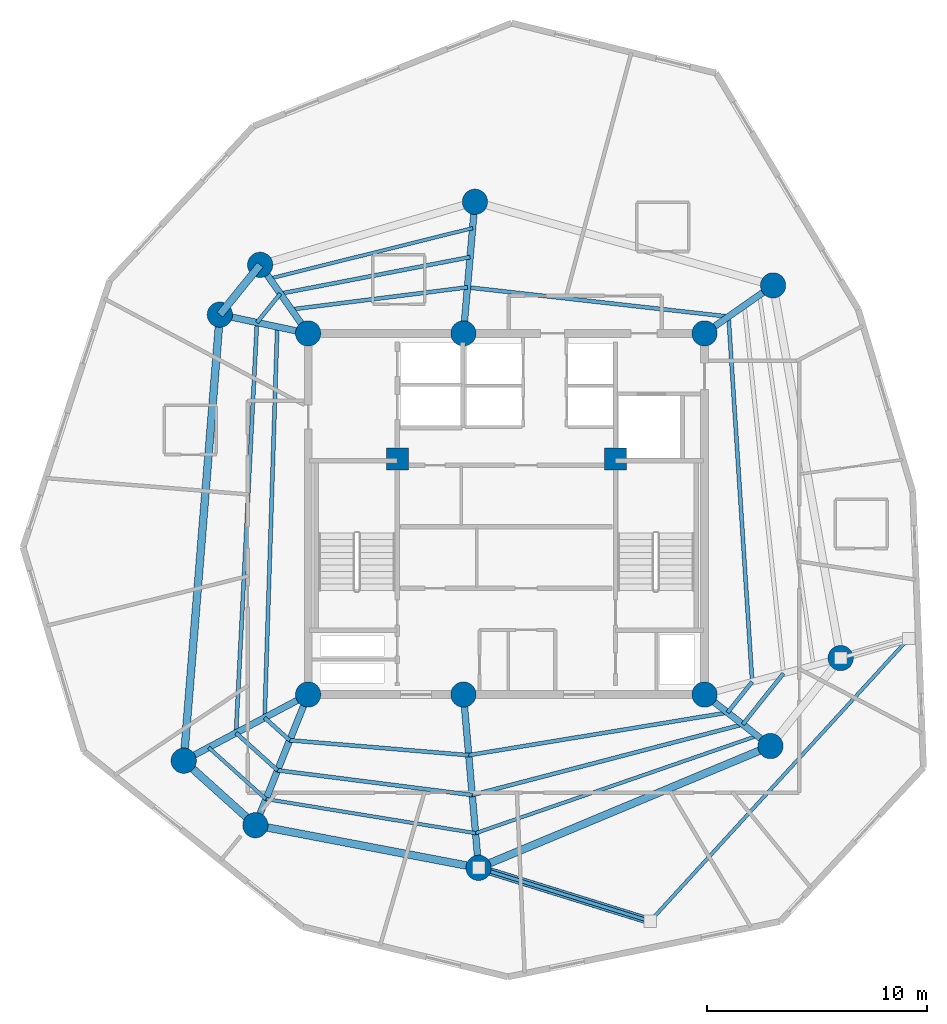
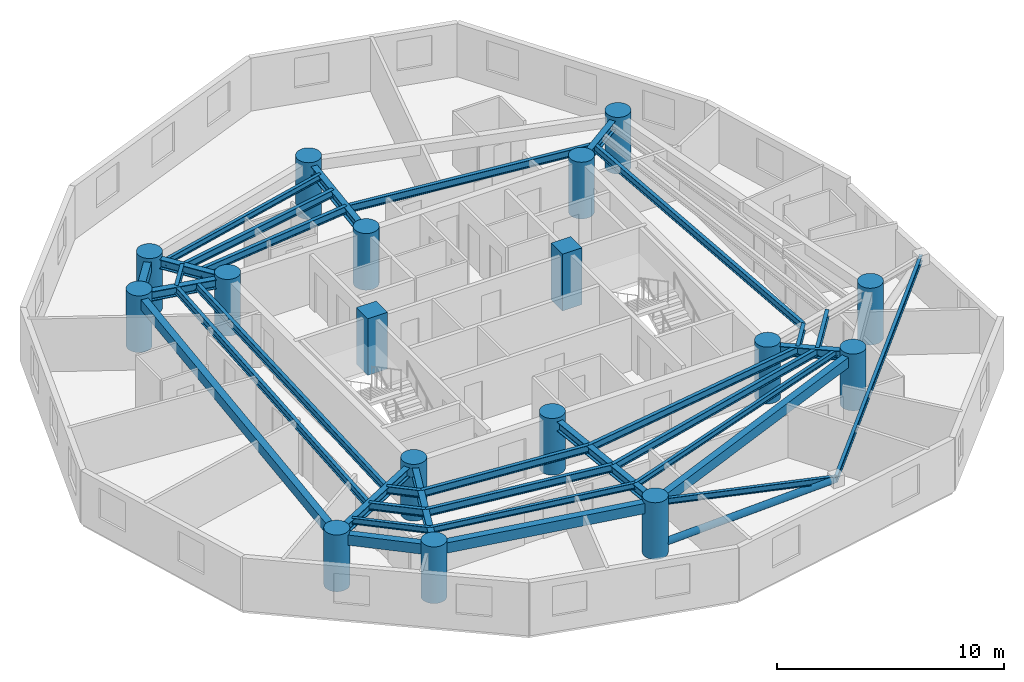
# One storey, part 1 of 7: 34 beams, 17 columns, 1 member.
"""IFC4 building model written with IfcOpenShell, lengths in metres."""

import ifcopenshell
import ifcopenshell.guid

model = None  # the IFC model being written
_history = None  # IfcOwnerHistory: only IFC2X3 demands one
_inside = {}  # id of a spatial element -> (the spatial element, [elements in it])
_under = {}  # id of a project, library or spatial element -> (it, [spatial elements below it])
_declared = {}  # id of a project -> (the project, [libraries it declares])
_typed = {}  # id of a type object -> (the type object, [elements of that type])
_made_of = {}  # id of a material, layer set ... -> (it, [elements and type objects made of it])


def new_model(schema):
    """Start an empty IFC model of exactly this schema.

    Asked for "IFC4X3", IfcOpenShell would pick the latest addendum, in which some entities
    have other attributes; the version numbers below select the first issue.
    IFC2X3 requires an IfcOwnerHistory on every rooted entity: one is made here for all.
    """
    global model, _history
    if schema == "IFC4X3":
        model = ifcopenshell.file(schema_version=(4, 3, 0, 0))
    else:
        model = ifcopenshell.file(schema=schema)
    _inside.clear()
    _under.clear()
    _declared.clear()
    _typed.clear()
    _made_of.clear()
    _history = None
    if model.schema == "IFC2X3":
        org = make("IfcOrganization", Name="unknown")
        user = make(
            "IfcPersonAndOrganization",
            ThePerson=make("IfcPerson", FamilyName="unknown"),
            TheOrganization=org,
        )
        app = make(
            "IfcApplication",
            ApplicationDeveloper=org,
            Version="unknown",
            ApplicationFullName="unknown",
            ApplicationIdentifier="unknown",
        )
        _history = make(
            "IfcOwnerHistory",
            OwningUser=user,
            OwningApplication=app,
            ChangeAction="ADDED",
            CreationDate=0,
        )
    return model


def make(cls, **values):
    """One entity of the class cls with the attributes given. An attribute that is None is left unset."""
    return model.create_entity(
        cls, **{name: value for name, value in values.items() if value is not None}
    )


def rooted(cls, **values):
    """An entity with a GlobalId (a new one), such as an element, a storey or a relation."""
    return make(cls, GlobalId=ifcopenshell.guid.new(), OwnerHistory=_history, **values)


def si_unit(unit_type, name, prefix=None):
    """IfcSIUnit, for example si_unit("LENGTHUNIT", "METRE", prefix="MILLI")."""
    return make("IfcSIUnit", UnitType=unit_type, Prefix=prefix, Name=name)


def assignment(units):
    """IfcUnitAssignment: the units of a project."""
    return None if units is None else make("IfcUnitAssignment", Units=units)


def point(xyz):
    """IfcCartesianPoint."""
    return None if xyz is None else make("IfcCartesianPoint", Coordinates=xyz)


def direction(xyz):
    """IfcDirection."""
    return None if xyz is None else make("IfcDirection", DirectionRatios=xyz)


def frame(location, z_axis=None, x_axis=None):
    """IfcAxis2Placement3D, a coordinate frame: its origin and axes. An axis left out is left unset."""
    return make(
        "IfcAxis2Placement3D",
        Location=point(location),
        Axis=direction(z_axis),
        RefDirection=direction(x_axis),
    )


def frame_2d(location, x_axis=None):
    """IfcAxis2Placement2D, a coordinate frame in the plane: its origin and x axis."""
    return make(
        "IfcAxis2Placement2D", Location=point(location), RefDirection=direction(x_axis)
    )


def origin():
    """The frame at (0, 0, 0) with its axes left unset."""
    return frame((0.0, 0.0, 0.0))


def origin_with_axes():
    """The frame at (0, 0, 0) with the z axis (0, 0, 1) and the x axis (1, 0, 0) written out."""
    return frame((0.0, 0.0, 0.0), z_axis=(0.0, 0.0, 1.0), x_axis=(1.0, 0.0, 0.0))


def origin_2d():
    """The frame at (0, 0) in the plane with its x axis left unset."""
    return frame_2d((0.0, 0.0))


def place(relative_to, where):
    """IfcLocalPlacement: puts the frame where relative to a parent placement (None: the world)."""
    return make(
        "IfcLocalPlacement", PlacementRelTo=relative_to, RelativePlacement=where
    )


def context(
    kind, dimensions, precision=None, world=None, true_north=None, identifier=None
):
    """IfcGeometricRepresentationContext, for example the 3D "Model" context."""
    return make(
        "IfcGeometricRepresentationContext",
        ContextIdentifier=identifier,
        ContextType=kind,
        CoordinateSpaceDimension=dimensions,
        Precision=precision,
        WorldCoordinateSystem=world,
        TrueNorth=true_north,
    )


def subcontext(parent, identifier, kind, view, scale=None):
    """IfcGeometricRepresentationSubContext, for example "Body" below "Model"."""
    return make(
        "IfcGeometricRepresentationSubContext",
        ContextIdentifier=identifier,
        ContextType=kind,
        ParentContext=parent,
        TargetScale=scale,
        TargetView=view,
    )


def project(units=None, contexts=None):
    """IfcProject with its units and contexts."""
    return rooted(
        "IfcProject",
        Name="project",
        RepresentationContexts=contexts,
        UnitsInContext=assignment(units),
    )


def spatial(cls, under=None, at=None, **own):
    """A site, building, storey or space (cls), placed at a placement, below another one or the project."""
    s = rooted(cls, ObjectPlacement=at, **own)
    if under is not None:
        _under.setdefault(under.id(), (under, []))[1].append(s)
    return s


def profile(cls, at=None, kind="AREA", **sizes):
    """A parametric profile (cls). Its sizes go by their IFC names, for example OverallWidth=200.0."""
    return make(cls, ProfileType=kind, Position=at, **sizes)


def rectangle(**sizes):
    """IfcRectangleProfileDef."""
    return profile("IfcRectangleProfileDef", **sizes)


def circle(**sizes):
    """IfcCircleProfileDef."""
    return profile("IfcCircleProfileDef", **sizes)


def hollow_circle(**sizes):
    """IfcCircleHollowProfileDef."""
    return profile("IfcCircleHollowProfileDef", **sizes)


def i_section(**sizes):
    """IfcIShapeProfileDef."""
    return profile("IfcIShapeProfileDef", **sizes)


def extrude(swept, where, along, depth):
    """IfcExtrudedAreaSolid: the profile swept, set in the frame where, extruded along a direction by depth."""
    return make(
        "IfcExtrudedAreaSolid",
        SweptArea=swept,
        Position=where,
        ExtrudedDirection=direction(along),
        Depth=depth,
    )


def shape(context_of_items, identifier, shape_type, items):
    """IfcShapeRepresentation: the items that make up one representation, for example the "Body"."""
    return make(
        "IfcShapeRepresentation",
        ContextOfItems=context_of_items,
        RepresentationIdentifier=identifier,
        RepresentationType=shape_type,
        Items=items,
    )


def source(mapping_origin, context_of_items, identifier, shape_type, items):
    """IfcRepresentationMap: a shape defined once, which mapped items show again and again."""
    return make(
        "IfcRepresentationMap",
        MappingOrigin=mapping_origin,
        MappedRepresentation=shape(context_of_items, identifier, shape_type, items),
    )


def transform(
    local_origin,
    x_axis=None,
    y_axis=None,
    z_axis=None,
    scale=None,
    scale2=None,
    scale3=None,
    uniform=True,
):
    """IfcCartesianTransformationOperator3D, or its non-uniform kind. x_axis, y_axis, z_axis: its Axis1, 2, 3."""
    if uniform:
        return make(
            "IfcCartesianTransformationOperator3D",
            Axis1=direction(x_axis),
            Axis2=direction(y_axis),
            LocalOrigin=point(local_origin),
            Scale=scale,
            Axis3=direction(z_axis),
        )
    return make(
        "IfcCartesianTransformationOperator3DnonUniform",
        Axis1=direction(x_axis),
        Axis2=direction(y_axis),
        LocalOrigin=point(local_origin),
        Scale=scale,
        Axis3=direction(z_axis),
        Scale2=scale2,
        Scale3=scale3,
    )


def mapped(mapping_source, mapping_target):
    """IfcMappedItem: shows the shape of a source again, moved by a transform."""
    return make(
        "IfcMappedItem", MappingSource=mapping_source, MappingTarget=mapping_target
    )


def material(Name=None, Category=None):
    """IfcMaterial."""
    return make("IfcMaterial", Name=Name, Category=Category)


def material_profile(
    of_material, cross_section, Name=None, Category=None, Priority=None
):
    """IfcMaterialProfile: a cross section and its material."""
    return make(
        "IfcMaterialProfile",
        Name=Name,
        Material=of_material,
        Profile=cross_section,
        Priority=Priority,
        Category=Category,
    )


def profile_set(profiles, Name=None, composite=None):
    """IfcMaterialProfileSet."""
    return make(
        "IfcMaterialProfileSet",
        Name=Name,
        MaterialProfiles=profiles,
        CompositeProfile=composite,
    )


def made_of(thing, what):
    """Note that an element or type object is made of a material, layer set ...; save() writes the relation."""
    if what is not None:
        _made_of.setdefault(what.id(), (what, []))[1].append(thing)
    return thing


def type_object(cls, material=None, **own):
    """A type object (cls), such as IfcWallType, which elements share."""
    return made_of(rooted(cls, **own), material)


def element(
    cls,
    number,
    at=None,
    inside=None,
    cuts=None,
    type_object=None,
    material=None,
    context=None,
    identifier="Body",
    shape_type=None,
    held_by="IfcProductDefinitionShape",
    body=None,
    shapes=None,
    **own,
):
    """One element of the class cls, such as IfcWall. Its Tag is "e" and its number.

    at: its placement. inside: the storey or other place that contains it. cuts: it is an
    opening in that element (IfcRelVoidsElement). A single representation is given by context,
    identifier, shape_type and body (its items); several are given by shapes. held_by: the class
    of the entity that holds the representations. save() writes the other relations.
    """
    e = rooted(cls, Tag="e%d" % number, ObjectPlacement=at, **own)
    if body is not None:
        shapes = [shape(context, identifier, shape_type, body)]
    if shapes is not None:
        e.Representation = make(held_by, Representations=shapes)
    if inside is not None:
        _inside.setdefault(inside.id(), (inside, []))[1].append(e)
    if cuts is not None:
        rooted(
            "IfcRelVoidsElement", RelatingBuildingElement=cuts, RelatedOpeningElement=e
        )
    if type_object is not None:
        _typed.setdefault(type_object.id(), (type_object, []))[1].append(e)
    return made_of(e, material)


def aggregate(whole, parts):
    """IfcRelAggregates: a whole, such as a stair, and the parts it consists of."""
    return rooted("IfcRelAggregates", RelatingObject=whole, RelatedObjects=parts)


def save(model, path):
    """Write the relations noted so far, then the file.

    IfcRelAggregates (storeys below a building ...), IfcRelContainedInSpatialStructure (elements
    in a storey), IfcRelDefinesByType, IfcRelAssociatesMaterial and IfcRelDeclares: one each for
    every whole, place, type object, material and project.
    """
    for whole, parts in _under.values():
        aggregate(whole, parts)
    for where, things in _inside.values():
        rooted(
            "IfcRelContainedInSpatialStructure",
            RelatedElements=things,
            RelatingStructure=where,
        )
    for kind, things in _typed.values():
        rooted("IfcRelDefinesByType", RelatedObjects=things, RelatingType=kind)
    for what, things in _made_of.values():
        rooted("IfcRelAssociatesMaterial", RelatedObjects=things, RelatingMaterial=what)
    for by, libraries in _declared.values():
        rooted("IfcRelDeclares", RelatingContext=by, RelatedDefinitions=libraries)
    model.write(path)


model = new_model("IFC4")

# Units and contexts
model_context = context("Model", 3, precision=1e-05, world=origin(), true_north=direction((0.0, 1.0)))
body_context = subcontext(model_context, "Body", "Model", "MODEL_VIEW")
ifc_project = project(units=[si_unit("LENGTHUNIT", "METRE"), si_unit("AREAUNIT", "SQUARE_METRE"), si_unit("VOLUMEUNIT", "CUBIC_METRE"), si_unit("PLANEANGLEUNIT", "RADIAN"), si_unit("MASSUNIT", "GRAM", prefix="KILO")], contexts=[model_context])

# Site, building, storey
site_placement = place(None, origin())
site = spatial("IfcSite", under=ifc_project, at=site_placement, CompositionType="ELEMENT")
building_placement = place(site_placement, origin())
building = spatial("IfcBuilding", under=site, at=building_placement, Name="Karkom Vertical University and Central Library", CompositionType="ELEMENT")
storey_placement = place(building_placement, frame((0.0, 0.0, 229.10009765625)))
storey = spatial("IfcBuildingStorey", under=building, at=storey_placement, Name="L67", CompositionType="ELEMENT", Elevation=229.10009765625)

# Columns
ifc_material_1 = material(Name="Concrete C50/60", Category="concrete")
ifc_material_profile_1 = material_profile(ifc_material_1, rectangle(XDim=1.0, YDim=1.0, at=origin_2d()), Name="RC-1000x1000")
ifc_profile_set_1 = profile_set([ifc_material_profile_1], Name="Concrete C50/60")
column_type_1 = type_object("IfcColumnType", Name="STR-COL-C-CC2", PredefinedType="COLUMN", material=ifc_profile_set_1)
shared_shape_1 = source(origin_with_axes(), body_context, "Body", "SweptSolid", [
    extrude(rectangle(XDim=1.0, YDim=1.0, at=origin_2d()), origin(), (0.0, 0.0, 1.0), 3.0498046875),
])
for number, where, z_axis, x_axis, name in (
    (1, (23.550048828125, 29.0, 0.0), (0.0, 0.0, 1.0), (1.0, 0.0, 0.0), "Level 67 Core Node Column CC-1"),
    (2, (33.449951171875, 29.0, 0.0), (0.0, 0.0, 1.0), (1.0, 0.0, 0.0), "Level 67 Core Node Column CC-2"),
):
    element("IfcColumn", number, at=place(storey_placement, frame(where, z_axis=z_axis, x_axis=x_axis)), inside=storey, type_object=column_type_1, Name=name, PredefinedType="COLUMN", context=body_context, shape_type="MappedRepresentation", body=[
        mapped(shared_shape_1, transform((0.0, 0.0, 0.0), scale=1.0)),
    ])
ifc_material_2 = material(Name="Concrete C45/55", Category="concrete")
ifc_material_profile_2 = material_profile(ifc_material_2, circle(Radius=0.574951171875, at=origin_2d()), Name="CFT-D1150")
ifc_profile_set_2 = profile_set([ifc_material_profile_2], Name="Concrete C45/55")
column_type_2 = type_object("IfcColumnType", Name="STR-COL-C-SC5", PredefinedType="COLUMN", material=ifc_profile_set_2)
shared_shape_2 = source(origin_with_axes(), body_context, "Body", "SweptSolid", [
    extrude(circle(Radius=0.574951171875, at=origin_2d()), origin(), (0.0, 0.0, 1.0), 3.0498046875),
])
for number, where, z_axis, x_axis, name in (
    (3, (19.5, 18.300048828125, 0.0), (0.0, 0.0, 1.0), (1.0, 0.0, 0.0), "Level 67 Spine Mega-Column SC-1"),
    (4, (26.550048828125, 18.300048828125, 0.0), (0.0, 0.0, 1.0), (1.0, 0.0, 0.0), "Level 67 Spine Mega-Column SC-2"),
    (5, (37.5, 18.300048828125, 0.0), (0.0, 0.0, 1.0), (1.0, 0.0, 0.0), "Level 67 Spine Mega-Column SC-3"),
    (6, (19.5, 34.699951171875, 0.0), (0.0, 0.0, 1.0), (1.0, 0.0, 0.0), "Level 67 Spine Mega-Column SC-4"),
    (7, (26.550048828125, 34.699951171875, 0.0), (0.0, 0.0, 1.0), (1.0, 0.0, 0.0), "Level 67 Spine Mega-Column SC-5"),
    (8, (37.5, 34.699951171875, 0.0), (0.0, 0.0, 1.0), (1.0, 0.0, 0.0), "Level 67 Spine Mega-Column SC-6"),
    (9, (43.681884765625, 19.9560546875, 0.0), (0.0, 0.0, 1.0), (1.0, 0.0, 0.0), "Level 67 Perimeter Mega-Column Z4-PC1"),
    (10, (40.613037109375, 36.8798828125, 0.0), (0.0, 0.0, 1.0), (1.0, 0.0, 0.0), "Level 67 Perimeter Mega-Column Z4-PC2"),
    (11, (27.072998046875, 40.677001953125, 0.0), (0.0, 0.0, 1.0), (1.0, 0.0, 0.0), "Level 67 Perimeter Mega-Column Z4-PC3"),
    (12, (17.320068359375, 37.81298828125, 0.0), (0.0, 0.0, 1.0), (1.0, 0.0, 0.0), "Level 67 Perimeter Mega-Column Z4-PC4"),
    (13, (15.489990234375, 35.552001953125, 0.0), (0.0, 0.0, 1.0), (1.0, 0.0, 0.0), "Level 67 Perimeter Mega-Column Z4-PC5"),
    (14, (13.84912109375, 15.294921875, 0.0), (0.0, 0.0, 1.0), (1.0, 0.0, 0.0), "Level 67 Perimeter Mega-Column Z4-PC6"),
    (15, (17.10302734375, 12.365966796875, 0.0), (0.0, 0.0, 1.0), (1.0, 0.0, 0.0), "Level 67 Perimeter Mega-Column Z4-PC7"),
    (16, (27.239013671875, 10.429931640625, 0.0), (0.0, 0.0, 1.0), (1.0, 0.0, 0.0), "Level 67 Perimeter Mega-Column Z4-PC8"),
    (17, (40.493896484375, 15.9599609375, 0.0), (0.0, 0.0, 1.0), (1.0, 0.0, 0.0), "Level 67 Perimeter Mega-Column Z4-PC9"),
):
    element("IfcColumn", number, at=place(storey_placement, frame(where, z_axis=z_axis, x_axis=x_axis)), inside=storey, type_object=column_type_2, Name=name, PredefinedType="COLUMN", context=body_context, shape_type="MappedRepresentation", body=[
        mapped(shared_shape_2, transform((0.0, 0.0, 0.0), scale=1.0)),
    ])

# Beams
ifc_material_3 = material(Name="Precast concrete C45/55", Category="concrete")
ifc_material_profile_3 = material_profile(ifc_material_3, rectangle(XDim=0.35009765625, YDim=0.550048828125, at=origin_2d()), Name="SPB-350x550")
ifc_profile_set_3 = profile_set([ifc_material_profile_3], Name="Precast concrete C45/55")
beam_type_1 = type_object("IfcBeamType", Name="STR-BM-SP-2", PredefinedType="SPANDREL", material=ifc_profile_set_3)
shared_shape_3 = source(origin_with_axes(), body_context, "Body", "SweptSolid", [
    extrude(rectangle(XDim=0.35009765625, YDim=0.550048828125, at=origin_2d()), origin(), (0.0, 0.0, 1.0), 2.908935546875),
])
beam_1_placement = place(storey_placement, frame((17.320068359375, 37.81298828125, 2.574951171875), z_axis=(-0.629147523747, -0.777285914811, 0.0), x_axis=(0.777285914811, -0.629147523747, 0.0)))
element("IfcBeam", 18, at=beam_1_placement, inside=storey, type_object=beam_type_1, Name="Level 67 Perimeter Spandrel Beam 04", PredefinedType="SPANDREL", context=body_context, shape_type="MappedRepresentation", body=[
    mapped(shared_shape_3, transform((0.0, 0.0, 0.0), scale=1.0)),
])
shared_shape_4 = source(origin_with_axes(), body_context, "Body", "SweptSolid", [
    extrude(rectangle(XDim=0.35009765625, YDim=0.550048828125, at=origin_2d()), origin(), (0.0, 0.0, 1.0), 20.323486328125),
])
beam_2_placement = place(storey_placement, frame((15.489990234375, 35.552001953125, 2.574951171875), z_axis=(-0.080737811681, -0.996735373991, 0.0), x_axis=(0.996735373991, -0.080737811681, 0.0)))
element("IfcBeam", 19, at=beam_2_placement, inside=storey, type_object=beam_type_1, Name="Level 67 Perimeter Spandrel Beam 05", PredefinedType="SPANDREL", context=body_context, shape_type="MappedRepresentation", body=[
    mapped(shared_shape_4, transform((0.0, 0.0, 0.0), scale=1.0)),
])
shared_shape_5 = source(origin_with_axes(), body_context, "Body", "SweptSolid", [
    extrude(rectangle(XDim=0.35009765625, YDim=0.550048828125, at=origin_2d()), origin(), (0.0, 0.0, 1.0), 4.3779296875),
])
beam_3_placement = place(storey_placement, frame((13.84912109375, 15.294921875, 2.574951171875), z_axis=(0.743244232405, -0.669020187287, 0.0), x_axis=(0.669020187287, 0.743244232405, 0.0)))
element("IfcBeam", 20, at=beam_3_placement, inside=storey, type_object=beam_type_1, Name="Level 67 Perimeter Spandrel Beam 06", PredefinedType="SPANDREL", context=body_context, shape_type="MappedRepresentation", body=[
    mapped(shared_shape_5, transform((0.0, 0.0, 0.0), scale=1.0)),
])
shared_shape_6 = source(origin_with_axes(), body_context, "Body", "SweptSolid", [
    extrude(rectangle(XDim=0.35009765625, YDim=0.550048828125, at=origin_2d()), origin(), (0.0, 0.0, 1.0), 10.3193359375),
])
beam_4_placement = place(storey_placement, frame((17.10302734375, 12.365966796875, 2.574951171875), z_axis=(0.982242767385, -0.187614354249, 0.0), x_axis=(0.187614354249, 0.982242767385, 0.0)))
element("IfcBeam", 21, at=beam_4_placement, inside=storey, type_object=beam_type_1, Name="Level 67 Perimeter Spandrel Beam 07", PredefinedType="SPANDREL", context=body_context, shape_type="MappedRepresentation", body=[
    mapped(shared_shape_6, transform((0.0, 0.0, 0.0), scale=1.0)),
])
shared_shape_7 = source(origin_with_axes(), body_context, "Body", "SweptSolid", [
    extrude(rectangle(XDim=0.35009765625, YDim=0.550048828125, at=origin_2d()), origin(), (0.0, 0.0, 1.0), 14.3623046875),
])
beam_5_placement = place(storey_placement, frame((27.239013671875, 10.429931640625, 2.574951171875), z_axis=(0.922899796194, 0.385040213725, 0.0), x_axis=(-0.385040213725, 0.922899796194, 0.0)))
element("IfcBeam", 22, at=beam_5_placement, inside=storey, type_object=beam_type_1, Name="Level 67 Perimeter Spandrel Beam 08", PredefinedType="SPANDREL", context=body_context, shape_type="MappedRepresentation", body=[
    mapped(shared_shape_7, transform((0.0, 0.0, 0.0), scale=1.0)),
])
ifc_material_4 = material(Name="Steel S355", Category="steel")
ifc_material_profile_4 = material_profile(ifc_material_4, i_section(OverallWidth=0.179931640625, OverallDepth=0.39990234375, WebThickness=0.008544921875, FlangeThickness=0.013427734375, FilletRadius=0.02099609375, at=origin_2d()), Name="IPE 400")
ifc_profile_set_4 = profile_set([ifc_material_profile_4], Name="Steel S355")
beam_type_2 = type_object("IfcBeamType", Name="STR-BM-SB-IPE400", PredefinedType="BEAM", material=ifc_profile_set_4)
shared_shape_8 = source(origin_with_axes(), body_context, "Body", "SweptSolid", [
    extrude(i_section(OverallWidth=0.179931640625, OverallDepth=0.39990234375, WebThickness=0.008544921875, FlangeThickness=0.013427734375, FilletRadius=0.02099609375, at=origin_2d()), origin(), (0.0, 0.0, 1.0), 16.617919921875),
])
beam_6_placement = place(storey_placement, frame((39.663818359375, 18.879638671875, 2.64990234375), z_axis=(-0.064641848008, 0.997908528617, 0.0), x_axis=(-0.997908528617, -0.064641848008, 0.0)))
element("IfcBeam", 23, at=beam_6_placement, inside=storey, type_object=beam_type_2, Name="Level 67 Secondary Composite Floor Beam 1.01", PredefinedType="BEAM", context=body_context, shape_type="MappedRepresentation", body=[
    mapped(shared_shape_8, transform((0.0, 0.0, 0.0), scale=1.0)),
])
shared_shape_9 = source(origin_with_axes(), body_context, "Body", "SweptSolid", [
    extrude(i_section(OverallWidth=0.179931640625, OverallDepth=0.39990234375, WebThickness=0.008544921875, FlangeThickness=0.013427734375, FilletRadius=0.02099609375, at=origin_2d()), origin(), (0.0, 0.0, 1.0), 11.9306640625),
])
beam_7_placement = place(storey_placement, frame((38.589599609375, 35.462890625, 2.64990234375), z_axis=(-0.993775454886, 0.11140172919, 0.0), x_axis=(-0.11140172919, -0.993775454886, 0.0)))
element("IfcBeam", 24, at=beam_7_placement, inside=storey, type_object=beam_type_2, Name="Level 67 Secondary Composite Floor Beam 1.02", PredefinedType="BEAM", context=body_context, shape_type="MappedRepresentation", body=[
    mapped(shared_shape_9, transform((0.0, 0.0, 0.0), scale=1.0)),
])
shared_shape_10 = source(origin_with_axes(), body_context, "Body", "SweptSolid", [
    extrude(i_section(OverallWidth=0.179931640625, OverallDepth=0.39990234375, WebThickness=0.008544921875, FlangeThickness=0.013427734375, FilletRadius=0.02099609375, at=origin_2d()), origin(), (0.0, 0.0, 1.0), 8.05859375),
])
beam_8_placement = place(storey_placement, frame((26.733154296875, 36.7919921875, 2.64990234375), z_axis=(-0.99223306826, -0.124392677646, 0.0), x_axis=(0.124392677646, -0.99223306826, 0.0)))
element("IfcBeam", 25, at=beam_8_placement, inside=storey, type_object=beam_type_2, Name="Level 67 Secondary Composite Floor Beam 1.03", PredefinedType="BEAM", context=body_context, shape_type="MappedRepresentation", body=[
    mapped(shared_shape_10, transform((0.0, 0.0, 0.0), scale=1.0)),
])
shared_shape_11 = source(origin_with_axes(), body_context, "Body", "SweptSolid", [
    extrude(i_section(OverallWidth=0.179931640625, OverallDepth=0.39990234375, WebThickness=0.008544921875, FlangeThickness=0.013427734375, FilletRadius=0.02099609375, at=origin_2d()), origin(), (0.0, 0.0, 1.0), 17.75927734375),
])
beam_9_placement = place(storey_placement, frame((18.096435546875, 34.998291015625, 2.64990234375), z_axis=(-0.032333437334, -0.999477137723, 0.0), x_axis=(0.999477137723, -0.032333437334, 0.0)))
element("IfcBeam", 26, at=beam_9_placement, inside=storey, type_object=beam_type_2, Name="Level 67 Secondary Composite Floor Beam 1.05", PredefinedType="BEAM", context=body_context, shape_type="MappedRepresentation", body=[
    mapped(shared_shape_11, transform((0.0, 0.0, 0.0), scale=1.0)),
])
shared_shape_12 = source(origin_with_axes(), body_context, "Body", "SweptSolid", [
    extrude(i_section(OverallWidth=0.179931640625, OverallDepth=0.39990234375, WebThickness=0.008544921875, FlangeThickness=0.013427734375, FilletRadius=0.02099609375, at=origin_2d()), origin(), (0.0, 0.0, 1.0), 1.5322265625),
])
beam_10_placement = place(storey_placement, frame((17.522216796875, 17.248291015625, 2.64990234375), z_axis=(0.743183211059, -0.669087972392, 0.0), x_axis=(0.669087972392, 0.743183211059, 0.0)))
element("IfcBeam", 27, at=beam_10_placement, inside=storey, type_object=beam_type_2, Name="Level 67 Secondary Composite Floor Beam 1.06", PredefinedType="BEAM", context=body_context, shape_type="MappedRepresentation", body=[
    mapped(shared_shape_12, transform((0.0, 0.0, 0.0), scale=1.0)),
])
shared_shape_13 = source(origin_with_axes(), body_context, "Body", "SweptSolid", [
    extrude(i_section(OverallWidth=0.179931640625, OverallDepth=0.39990234375, WebThickness=0.008544921875, FlangeThickness=0.013427734375, FilletRadius=0.02099609375, at=origin_2d()), origin(), (0.0, 0.0, 1.0), 8.15869140625),
])
beam_11_placement = place(storey_placement, frame((18.660888671875, 16.22314453125, 2.64990234375), z_axis=(0.996543694183, -0.083070244882, 0.0), x_axis=(0.083070244882, 0.996543694183, 0.0)))
element("IfcBeam", 28, at=beam_11_placement, inside=storey, type_object=beam_type_2, Name="Level 67 Secondary Composite Floor Beam 1.07", PredefinedType="BEAM", context=body_context, shape_type="MappedRepresentation", body=[
    mapped(shared_shape_13, transform((0.0, 0.0, 0.0), scale=1.0)),
])
shared_shape_14 = source(origin_with_axes(), body_context, "Body", "SweptSolid", [
    extrude(i_section(OverallWidth=0.179931640625, OverallDepth=0.39990234375, WebThickness=0.008544921875, FlangeThickness=0.013427734375, FilletRadius=0.02099609375, at=origin_2d()), origin(), (0.0, 0.0, 1.0), 11.914794921875),
])
beam_12_placement = place(storey_placement, frame((26.791259765625, 15.54541015625, 2.64990234375), z_axis=(0.986717073469, 0.162448197663, 0.0), x_axis=(-0.162448197663, 0.986717073469, 0.0)))
element("IfcBeam", 29, at=beam_12_placement, inside=storey, type_object=beam_type_2, Name="Level 67 Secondary Composite Floor Beam 1.08", PredefinedType="BEAM", context=body_context, shape_type="MappedRepresentation", body=[
    mapped(shared_shape_14, transform((0.0, 0.0, 0.0), scale=1.0)),
])
shared_shape_15 = source(origin_with_axes(), body_context, "Body", "SweptSolid", [
    extrude(i_section(OverallWidth=0.179931640625, OverallDepth=0.39990234375, WebThickness=0.008544921875, FlangeThickness=0.013427734375, FilletRadius=0.02099609375, at=origin_2d()), origin(), (0.0, 0.0, 1.0), 1.789306640625),
])
beam_13_placement = place(storey_placement, frame((38.5478515625, 17.48095703125, 2.64990234375), z_axis=(0.623679519349, 0.781680150154, 0.0), x_axis=(-0.781680150154, 0.623679519349, 0.0)))
element("IfcBeam", 30, at=beam_13_placement, inside=storey, type_object=beam_type_2, Name="Level 67 Secondary Composite Floor Beam 1.09", PredefinedType="BEAM", context=body_context, shape_type="MappedRepresentation", body=[
    mapped(shared_shape_15, transform((0.0, 0.0, 0.0), scale=1.0)),
])
shared_shape_16 = source(origin_with_axes(), body_context, "Body", "SweptSolid", [
    extrude(i_section(OverallWidth=0.179931640625, OverallDepth=0.39990234375, WebThickness=0.008544921875, FlangeThickness=0.013427734375, FilletRadius=0.02099609375, at=origin_2d()), origin(), (0.0, 0.0, 1.0), 8.7763671875),
])
beam_14_placement = place(storey_placement, frame((26.853271484375, 38.166748046875, 2.64990234375), z_axis=(-0.981924209256, -0.189274528862, 0.0), x_axis=(0.189274528862, -0.981924209256, 0.0)))
element("IfcBeam", 31, at=beam_14_placement, inside=storey, type_object=beam_type_2, Name="Level 67 Secondary Composite Floor Beam 2.03", PredefinedType="BEAM", context=body_context, shape_type="MappedRepresentation", body=[
    mapped(shared_shape_16, transform((0.0, 0.0, 0.0), scale=1.0)),
])
shared_shape_17 = source(origin_with_axes(), body_context, "Body", "SweptSolid", [
    extrude(i_section(OverallWidth=0.179931640625, OverallDepth=0.39990234375, WebThickness=0.008544921875, FlangeThickness=0.013427734375, FilletRadius=0.02099609375, at=origin_2d()), origin(), (0.0, 0.0, 1.0), 1.68701171875),
])
beam_15_placement = place(storey_placement, frame((18.235595703125, 36.505615234375, 2.64990234375), z_axis=(-0.629044191861, -0.777369541908, 0.0), x_axis=(0.777369541908, -0.629044191861, 0.0)))
element("IfcBeam", 32, at=beam_15_placement, inside=storey, type_object=beam_type_2, Name="Level 67 Secondary Composite Floor Beam 2.04", PredefinedType="BEAM", context=body_context, shape_type="MappedRepresentation", body=[
    mapped(shared_shape_17, transform((0.0, 0.0, 0.0), scale=1.0)),
])
shared_shape_18 = source(origin_with_axes(), body_context, "Body", "SweptSolid", [
    extrude(i_section(OverallWidth=0.179931640625, OverallDepth=0.39990234375, WebThickness=0.008544921875, FlangeThickness=0.013427734375, FilletRadius=0.02099609375, at=origin_2d()), origin(), (0.0, 0.0, 1.0), 18.661376953125),
])
beam_16_placement = place(storey_placement, frame((17.17431640625, 35.194091796875, 2.64990234375), z_axis=(-0.051009656211, -0.998698160093, 0.0), x_axis=(0.998698160093, -0.051009656211, 0.0)))
element("IfcBeam", 33, at=beam_16_placement, inside=storey, type_object=beam_type_2, Name="Level 67 Secondary Composite Floor Beam 2.05", PredefinedType="BEAM", context=body_context, shape_type="MappedRepresentation", body=[
    mapped(shared_shape_18, transform((0.0, 0.0, 0.0), scale=1.0)),
])
shared_shape_19 = source(origin_with_axes(), body_context, "Body", "SweptSolid", [
    extrude(i_section(OverallWidth=0.179931640625, OverallDepth=0.39990234375, WebThickness=0.008544921875, FlangeThickness=0.013427734375, FilletRadius=0.02099609375, at=origin_2d()), origin(), (0.0, 0.0, 1.0), 2.5390625),
])
beam_17_placement = place(storey_placement, frame((16.222412109375, 16.55712890625, 2.64990234375), z_axis=(0.743246334517, -0.669017851949, 0.0), x_axis=(0.669017851949, 0.743246334517, 0.0)))
element("IfcBeam", 34, at=beam_17_placement, inside=storey, type_object=beam_type_2, Name="Level 67 Secondary Composite Floor Beam 2.06", PredefinedType="BEAM", context=body_context, shape_type="MappedRepresentation", body=[
    mapped(shared_shape_19, transform((0.0, 0.0, 0.0), scale=1.0)),
])
shared_shape_20 = source(origin_with_axes(), body_context, "Body", "SweptSolid", [
    extrude(i_section(OverallWidth=0.179931640625, OverallDepth=0.39990234375, WebThickness=0.008544921875, FlangeThickness=0.013427734375, FilletRadius=0.02099609375, at=origin_2d()), origin(), (0.0, 0.0, 1.0), 8.9111328125),
])
beam_18_placement = place(storey_placement, frame((18.109619140625, 14.8583984375, 2.64990234375), z_axis=(0.992026771403, -0.126027317751, 0.0), x_axis=(0.126027317751, 0.992026771403, 0.0)))
element("IfcBeam", 35, at=beam_18_placement, inside=storey, type_object=beam_type_2, Name="Level 67 Secondary Composite Floor Beam 2.07", PredefinedType="BEAM", context=body_context, shape_type="MappedRepresentation", body=[
    mapped(shared_shape_20, transform((0.0, 0.0, 0.0), scale=1.0)),
])
shared_shape_21 = source(origin_with_axes(), body_context, "Body", "SweptSolid", [
    extrude(i_section(OverallWidth=0.179931640625, OverallDepth=0.39990234375, WebThickness=0.008544921875, FlangeThickness=0.013427734375, FilletRadius=0.02099609375, at=origin_2d()), origin(), (0.0, 0.0, 1.0), 12.69873046875),
])
beam_19_placement = place(storey_placement, frame((26.94970703125, 13.7353515625, 2.64990234375), z_axis=(0.967573974729, 0.252587813301, 0.0), x_axis=(-0.252587813301, 0.967573974729, 0.0)))
element("IfcBeam", 36, at=beam_19_placement, inside=storey, type_object=beam_type_2, Name="Level 67 Secondary Composite Floor Beam 2.08", PredefinedType="BEAM", context=body_context, shape_type="MappedRepresentation", body=[
    mapped(shared_shape_21, transform((0.0, 0.0, 0.0), scale=1.0)),
])
shared_shape_22 = source(origin_with_axes(), body_context, "Body", "SweptSolid", [
    extrude(i_section(OverallWidth=0.179931640625, OverallDepth=0.39990234375, WebThickness=0.008544921875, FlangeThickness=0.013427734375, FilletRadius=0.02099609375, at=origin_2d()), origin(), (0.0, 0.0, 1.0), 2.96484375),
])
beam_20_placement = place(storey_placement, frame((39.236572265625, 16.94287109375, 2.64990234375), z_axis=(0.623670236397, 0.781687556657, 0.0), x_axis=(-0.781687556657, 0.623670236397, 0.0)))
element("IfcBeam", 37, at=beam_20_placement, inside=storey, type_object=beam_type_2, Name="Level 67 Secondary Composite Floor Beam 2.09", PredefinedType="BEAM", context=body_context, shape_type="MappedRepresentation", body=[
    mapped(shared_shape_22, transform((0.0, 0.0, 0.0), scale=1.0)),
])
ifc_material_profile_5 = material_profile(ifc_material_4, i_section(OverallWidth=0.159912109375, OverallDepth=0.330078125, WebThickness=0.007568359375, FlangeThickness=0.011474609375, FilletRadius=0.01806640625, at=origin_2d()), Name="IPE 330")
ifc_profile_set_5 = profile_set([ifc_material_profile_5], Name="Steel S355")
beam_type_3 = type_object("IfcBeamType", Name="STR-BM-SB-IPE330", PredefinedType="BEAM", material=ifc_profile_set_5)
shared_shape_23 = source(origin_with_axes(), body_context, "Body", "SweptSolid", [
    extrude(i_section(OverallWidth=0.159912109375, OverallDepth=0.330078125, WebThickness=0.007568359375, FlangeThickness=0.011474609375, FilletRadius=0.01806640625, at=origin_2d()), origin(), (0.0, 0.0, 1.0), 9.4931640625),
])
beam_21_placement = place(storey_placement, frame((26.968505859375, 39.481689453125, 2.684814453125), z_axis=(-0.970435275293, -0.241361505767, 0.0), x_axis=(0.241361505767, -0.970435275293, 0.0)))
element("IfcBeam", 38, at=beam_21_placement, inside=storey, type_object=beam_type_3, Name="Level 67 Secondary Composite Floor Beam 3.03", PredefinedType="BEAM", context=body_context, shape_type="MappedRepresentation", body=[
    mapped(shared_shape_23, transform((0.0, 0.0, 0.0), scale=1.0)),
])
shared_shape_24 = source(origin_with_axes(), body_context, "Body", "SweptSolid", [
    extrude(i_section(OverallWidth=0.159912109375, OverallDepth=0.330078125, WebThickness=0.007568359375, FlangeThickness=0.011474609375, FilletRadius=0.01806640625, at=origin_2d()), origin(), (0.0, 0.0, 1.0), 3.50244140625),
])
beam_22_placement = place(storey_placement, frame((14.979248046875, 15.89599609375, 2.684814453125), z_axis=(0.743249087562, -0.669014793437, 0.0), x_axis=(0.669014793437, 0.743249087562, 0.0)))
element("IfcBeam", 39, at=beam_22_placement, inside=storey, type_object=beam_type_3, Name="Level 67 Secondary Composite Floor Beam 3.06", PredefinedType="BEAM", context=body_context, shape_type="MappedRepresentation", body=[
    mapped(shared_shape_24, transform((0.0, 0.0, 0.0), scale=1.0)),
])
shared_shape_25 = source(origin_with_axes(), body_context, "Body", "SweptSolid", [
    extrude(i_section(OverallWidth=0.159912109375, OverallDepth=0.330078125, WebThickness=0.007568359375, FlangeThickness=0.011474609375, FilletRadius=0.01806640625, at=origin_2d()), origin(), (0.0, 0.0, 1.0), 9.64404296875),
])
beam_23_placement = place(storey_placement, frame((17.58251953125, 13.552734375, 2.684814453125), z_axis=(0.987019497924, -0.160600469231, 0.0), x_axis=(0.160600469231, 0.987019497924, 0.0)))
element("IfcBeam", 40, at=beam_23_placement, inside=storey, type_object=beam_type_3, Name="Level 67 Secondary Composite Floor Beam 3.07", PredefinedType="BEAM", context=body_context, shape_type="MappedRepresentation", body=[
    mapped(shared_shape_25, transform((0.0, 0.0, 0.0), scale=1.0)),
])
shared_shape_26 = source(origin_with_axes(), body_context, "Body", "SweptSolid", [
    extrude(i_section(OverallWidth=0.159912109375, OverallDepth=0.330078125, WebThickness=0.007568359375, FlangeThickness=0.011474609375, FilletRadius=0.01806640625, at=origin_2d()), origin(), (0.0, 0.0, 1.0), 13.537353515625),
])
beam_24_placement = place(storey_placement, frame((27.101318359375, 12.00390625, 2.684814453125), z_axis=(0.945091088216, 0.32680703018, 0.0), x_axis=(-0.32680703018, 0.945091088216, 0.0)))
element("IfcBeam", 41, at=beam_24_placement, inside=storey, type_object=beam_type_3, Name="Level 67 Secondary Composite Floor Beam 3.08", PredefinedType="BEAM", context=body_context, shape_type="MappedRepresentation", body=[
    mapped(shared_shape_26, transform((0.0, 0.0, 0.0), scale=1.0)),
])
ifc_material_profile_6 = material_profile(ifc_material_4, i_section(OverallWidth=0.300048828125, OverallDepth=0.5, WebThickness=0.014404296875, FlangeThickness=0.028076171875, FilletRadius=0.027099609375, at=origin_2d()), Name="HE 500 B")
ifc_profile_set_6 = profile_set([ifc_material_profile_6], Name="Steel S355")
beam_type_4 = type_object("IfcBeamType", Name="STR-BM-SB-HE500", PredefinedType="USERDEFINED", material=ifc_profile_set_6)
shared_shape_27 = source(origin_with_axes(), body_context, "Body", "SweptSolid", [
    extrude(i_section(OverallWidth=0.300048828125, OverallDepth=0.5, WebThickness=0.014404296875, FlangeThickness=0.028076171875, FilletRadius=0.027099609375, at=origin_2d()), origin(), (0.0, 0.0, 1.0), 6.39990234375),
])
beam_25_placement = place(storey_placement, frame((19.5, 18.300048828125, 2.599853515625), z_axis=(-0.374532429749, -0.927213815183, 0.0), x_axis=(0.927213815183, -0.374532429749, 0.0)))
element("IfcBeam", 42, at=beam_25_placement, inside=storey, type_object=beam_type_4, Name="Level 67 Radial Frame Girder 07", ObjectType="GIRDER", PredefinedType="USERDEFINED", context=body_context, shape_type="MappedRepresentation", body=[
    mapped(shared_shape_27, transform((0.0, 0.0, 0.0), scale=1.0)),
])
shared_shape_28 = source(origin_with_axes(), body_context, "Body", "SweptSolid", [
    extrude(i_section(OverallWidth=0.300048828125, OverallDepth=0.5, WebThickness=0.014404296875, FlangeThickness=0.028076171875, FilletRadius=0.027099609375, at=origin_2d()), origin(), (0.0, 0.0, 1.0), 3.80029296875),
])
for number, where, z_axis, x_axis, name in (
    (43, (37.5, 34.699951171875, 2.599853515625), (0.819132313625, 0.573604613627, 0.0), (-0.573604613627, 0.819132313625, 0.0), "Level 67 Radial Frame Girder 02"),
    (44, (19.5, 34.699951171875, 2.599853515625), (-0.573604613627, 0.819132313625, 0.0), (-0.819132313625, -0.573604613627, 0.0), "Level 67 Radial Frame Girder 04"),
):
    element("IfcBeam", number, at=place(storey_placement, frame(where, z_axis=z_axis, x_axis=x_axis)), inside=storey, type_object=beam_type_4, Name=name, ObjectType="GIRDER", PredefinedType="USERDEFINED", context=body_context, shape_type="MappedRepresentation", body=[
        mapped(shared_shape_28, transform((0.0, 0.0, 0.0), scale=1.0)),
    ])
shared_shape_29 = source(origin_with_axes(), body_context, "Body", "SweptSolid", [
    extrude(i_section(OverallWidth=0.300048828125, OverallDepth=0.5, WebThickness=0.014404296875, FlangeThickness=0.028076171875, FilletRadius=0.027099609375, at=origin_2d()), origin(), (0.0, 0.0, 1.0), 6.0),
])
beam_26_placement = place(storey_placement, frame((26.550048828125, 34.699951171875, 2.599853515625), z_axis=(0.087159883478, 0.996194335816, 0.0), x_axis=(-0.996194335816, 0.087159883478, 0.0)))
element("IfcBeam", 45, at=beam_26_placement, inside=storey, type_object=beam_type_4, Name="Level 67 Radial Frame Girder 03", ObjectType="GIRDER", PredefinedType="USERDEFINED", context=body_context, shape_type="MappedRepresentation", body=[
    mapped(shared_shape_29, transform((0.0, 0.0, 0.0), scale=1.0)),
])
shared_shape_30 = source(origin_with_axes(), body_context, "Body", "SweptSolid", [
    extrude(i_section(OverallWidth=0.300048828125, OverallDepth=0.5, WebThickness=0.014404296875, FlangeThickness=0.028076171875, FilletRadius=0.027099609375, at=origin_2d()), origin(), (0.0, 0.0, 1.0), 4.099609375),
])
beam_27_placement = place(storey_placement, frame((19.5, 34.699951171875, 2.599853515625), z_axis=(-0.978162634602, 0.207840949453, 0.0), x_axis=(-0.207840949453, -0.978162634602, 0.0)))
element("IfcBeam", 46, at=beam_27_placement, inside=storey, type_object=beam_type_4, Name="Level 67 Radial Frame Girder 05", ObjectType="GIRDER", PredefinedType="USERDEFINED", context=body_context, shape_type="MappedRepresentation", body=[
    mapped(shared_shape_30, transform((0.0, 0.0, 0.0), scale=1.0)),
])
shared_shape_31 = source(origin_with_axes(), body_context, "Body", "SweptSolid", [
    extrude(i_section(OverallWidth=0.300048828125, OverallDepth=0.5, WebThickness=0.014404296875, FlangeThickness=0.028076171875, FilletRadius=0.027099609375, at=origin_2d()), origin(), (0.0, 0.0, 1.0), 6.400146484375),
])
beam_28_placement = place(storey_placement, frame((19.5, 18.300048828125, 2.599853515625), z_axis=(-0.882915120857, -0.469532628645, 0.0), x_axis=(0.469532628645, -0.882915120857, 0.0)))
element("IfcBeam", 47, at=beam_28_placement, inside=storey, type_object=beam_type_4, Name="Level 67 Radial Frame Girder 06", ObjectType="GIRDER", PredefinedType="USERDEFINED", context=body_context, shape_type="MappedRepresentation", body=[
    mapped(shared_shape_31, transform((0.0, 0.0, 0.0), scale=1.0)),
])
shared_shape_32 = source(origin_with_axes(), body_context, "Body", "SweptSolid", [
    extrude(i_section(OverallWidth=0.300048828125, OverallDepth=0.5, WebThickness=0.014404296875, FlangeThickness=0.028076171875, FilletRadius=0.027099609375, at=origin_2d()), origin(), (0.0, 0.0, 1.0), 7.900146484375),
])
beam_29_placement = place(storey_placement, frame((26.550048828125, 18.300048828125, 2.599853515625), z_axis=(0.087208352312, -0.996190093951, 0.0), x_axis=(0.996190093951, 0.087208352312, 0.0)))
element("IfcBeam", 48, at=beam_29_placement, inside=storey, type_object=beam_type_4, Name="Level 67 Radial Frame Girder 08", ObjectType="GIRDER", PredefinedType="USERDEFINED", context=body_context, shape_type="MappedRepresentation", body=[
    mapped(shared_shape_32, transform((0.0, 0.0, 0.0), scale=1.0)),
])
shared_shape_33 = source(origin_with_axes(), body_context, "Body", "SweptSolid", [
    extrude(i_section(OverallWidth=0.300048828125, OverallDepth=0.5, WebThickness=0.014404296875, FlangeThickness=0.028076171875, FilletRadius=0.027099609375, at=origin_2d()), origin(), (0.0, 0.0, 1.0), 3.7998046875),
])
beam_30_placement = place(storey_placement, frame((37.5, 18.300048828125, 2.599853515625), z_axis=(0.787883114707, -0.61582481077, 0.0), x_axis=(0.61582481077, 0.787883114707, 0.0)))
element("IfcBeam", 49, at=beam_30_placement, inside=storey, type_object=beam_type_4, Name="Level 67 Radial Frame Girder 09", ObjectType="GIRDER", PredefinedType="USERDEFINED", context=body_context, shape_type="MappedRepresentation", body=[
    mapped(shared_shape_33, transform((0.0, 0.0, 0.0), scale=1.0)),
])
shared_shape_34 = source(origin_with_axes(), body_context, "Body", "SweptSolid", [
    extrude(i_section(OverallWidth=0.159912109375, OverallDepth=0.330078125, WebThickness=0.007568359375, FlangeThickness=0.011474609375, FilletRadius=0.01806640625, at=origin_2d()), origin(), (0.0, 0.0, 1.0), 8.159912109375),
])
beam_31_placement = place(storey_placement, frame((27.239013671875, 10.429931640625, 2.684814453125), z_axis=(0.954902782055, -0.296918636706, 0.0), x_axis=(0.296918636706, 0.954902782055, 0.0)))
element("IfcBeam", 50, at=beam_31_placement, inside=storey, type_object=beam_type_3, Name="Level 67 Sky Garden Outrigger Support Beam 1", PredefinedType="BEAM", context=body_context, shape_type="MappedRepresentation", body=[
    mapped(shared_shape_34, transform((0.0, 0.0, 0.0), scale=1.0)),
])

# Member
ifc_material_profile_7 = material_profile(ifc_material_4, hollow_circle(Radius=0.177734375, WallThickness=0.01611328125, at=origin_2d()), Name="CHS 355.6x16")
ifc_profile_set_7 = profile_set([ifc_material_profile_7], Name="Steel S355")
member_type = type_object("IfcMemberType", Name="STR-MEM-BR-3", PredefinedType="BRACE", material=ifc_profile_set_7)
shared_shape_35 = source(origin_with_axes(), body_context, "Body", "SweptSolid", [
    extrude(hollow_circle(Radius=0.177734375, WallThickness=0.01611328125, at=origin_2d()), origin(), (0.0, 0.0, 1.0), 8.487548828125),
])
member_placement = place(storey_placement, frame((27.239013671875, 10.429931640625, 0.349853515625), z_axis=(0.918056711921, -0.28546167468, 0.275106353954), x_axis=(0.296918636706, 0.954902782055, 0.0)))
element("IfcMember", 51, at=member_placement, inside=storey, type_object=member_type, Name="Level 67 Sky Garden Knee Strut Brace 1", PredefinedType="BRACE", context=body_context, shape_type="MappedRepresentation", body=[
    mapped(shared_shape_35, transform((0.0, 0.0, 0.0), scale=1.0)),
])

# Beam
shared_shape_36 = source(origin_with_axes(), body_context, "Body", "SweptSolid", [
    extrude(i_section(OverallWidth=0.159912109375, OverallDepth=0.330078125, WebThickness=0.007568359375, FlangeThickness=0.011474609375, FilletRadius=0.01806640625, at=origin_2d()), origin(), (0.0, 0.0, 1.0), 17.39794921875),
])
beam_32_placement = place(storey_placement, frame((35.031005859375, 8.007080078125, 2.684814453125), z_axis=(0.674835148924, 0.737968510017, 0.0), x_axis=(-0.737968510017, 0.674835148924, 0.0)))
element("IfcBeam", 52, at=beam_32_placement, inside=storey, type_object=beam_type_3, Name="Level 67 Sky Garden Perimeter Edge Beam", PredefinedType="BEAM", context=body_context, shape_type="MappedRepresentation", body=[
    mapped(shared_shape_36, transform((0.0, 0.0, 0.0), scale=1.0)),
])

save(model, "model.ifc")
